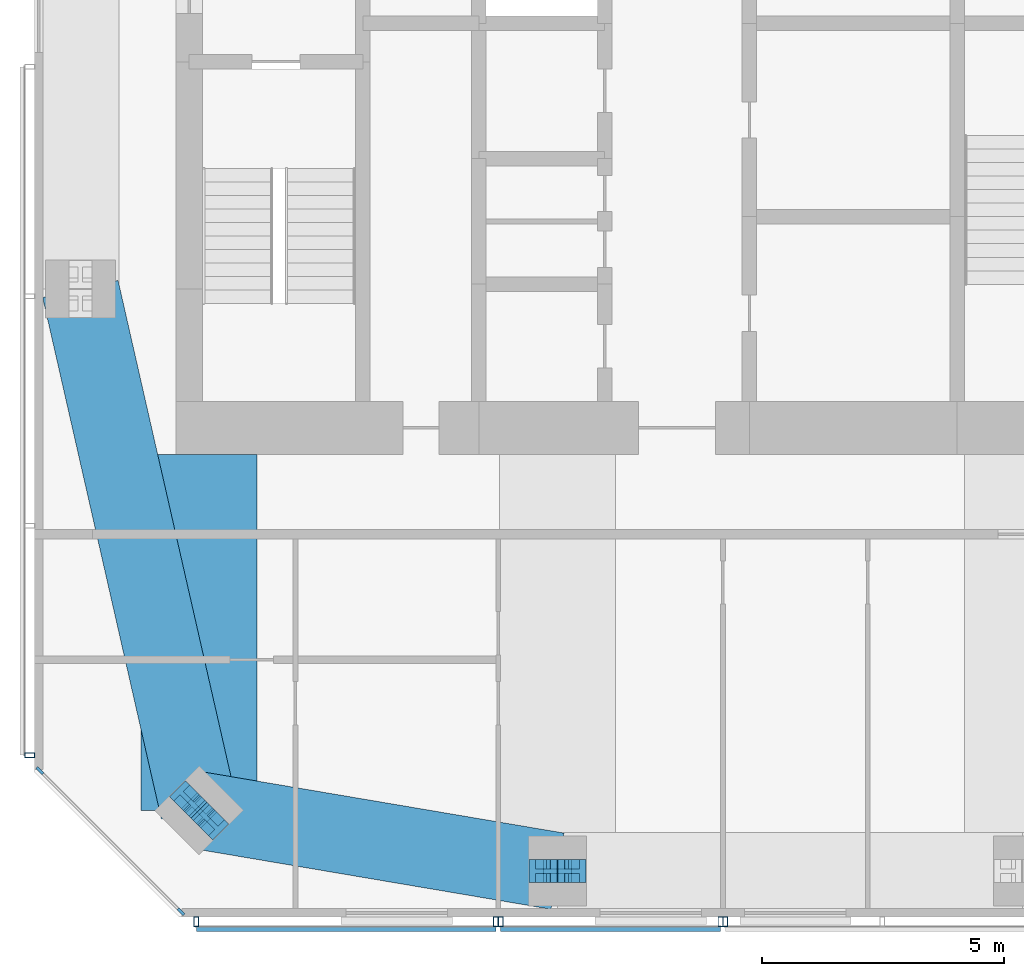
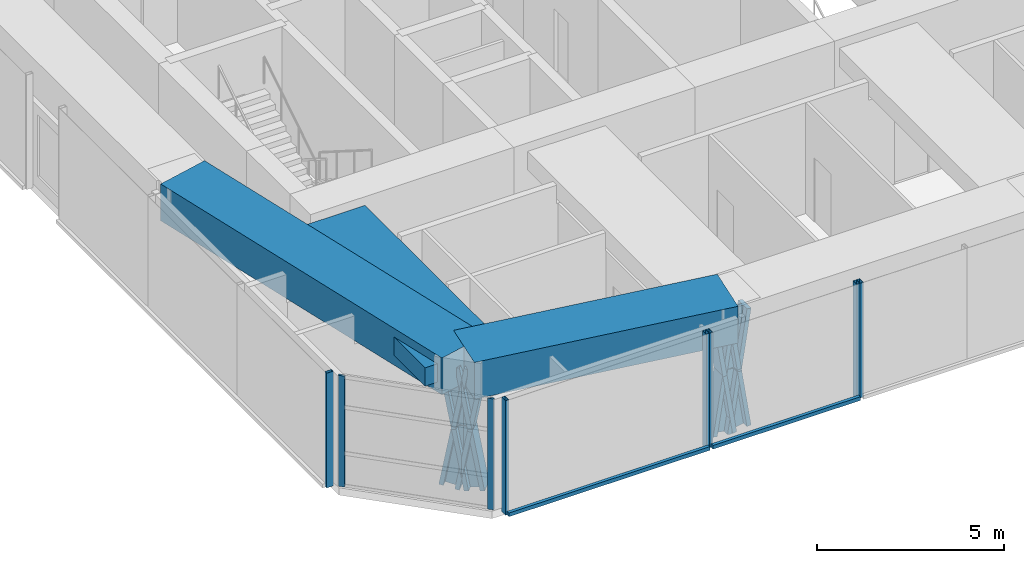
# One storey, part 2 of 20: 18 members, 3 beams, 5 elements without a shape of their own.
"""IFC4 building model written with IfcOpenShell, lengths in metres."""

from ifc_helpers import new_model, si_unit, direction, frame, origin, origin_2d, place, context, subcontext, project, spatial, rectangle, hollow_rectangle, i_section, extrude, material, material_profile, profile_set, type_object, element, aggregate, save


model = new_model("IFC4")

# Units and contexts
model_context = context("Model", 3, precision=1e-05, world=origin(), true_north=direction((0.0, 1.0)))
body_context = subcontext(model_context, "Body", "Model", "MODEL_VIEW")
ifc_project = project(units=[si_unit("LENGTHUNIT", "METRE"), si_unit("AREAUNIT", "SQUARE_METRE"), si_unit("VOLUMEUNIT", "CUBIC_METRE"), si_unit("PLANEANGLEUNIT", "RADIAN"), si_unit("MASSUNIT", "GRAM", prefix="KILO")], contexts=[model_context])

# Site, building, storey
site_placement = place(None, origin())
site = spatial("IfcSite", under=ifc_project, at=site_placement, CompositionType="ELEMENT")
building_placement = place(site_placement, origin())
building = spatial("IfcBuilding", under=site, at=building_placement, Name="Jalousie Tower", CompositionType="ELEMENT")
storey_placement = place(building_placement, frame((0.0, 0.0, 263.85009765625)))
storey = spatial("IfcBuildingStorey", under=building, at=storey_placement, Name="L72", CompositionType="ELEMENT", Elevation=263.85009765625)

# Curtain wall, members
ifc_material_1 = material(Name="Aluminium curtain wall", Category="aluminium")
curtain_wall_type_1 = type_object("IfcCurtainWallType", Name="PENTHOUSE CORNER WINDOW WALL", PredefinedType="USERDEFINED", material=ifc_material_1)
curtain_wall_1_placement = place(storey_placement, origin())
curtain_wall_1 = element("IfcCurtainWall", 1, at=curtain_wall_1_placement, inside=storey, type_object=curtain_wall_type_1, Name="Penthouse Corner Window Wall L72 8", ObjectType="PENTHOUSE CORNER WINDOW WALL", PredefinedType="USERDEFINED")
ifc_material_2 = material(Name="Aluminium mullion", Category="aluminium")
ifc_material_profile_1 = material_profile(ifc_material_2, rectangle(XDim=0.06005859375, YDim=0.179931640625, at=origin_2d()), Name="MULLION 60x180")
ifc_profile_set_1 = profile_set([ifc_material_profile_1], Name="Aluminium mullion")
member_type_1 = type_object("IfcMemberType", Name="PENTHOUSE CORNER WINDOW WALL MULLION", PredefinedType="MULLION", material=ifc_profile_set_1)
member_1_placement = place(storey_placement, frame((16.90869140625, 3.030029296875, 0.0), z_axis=(0.0, 0.0, 1.0), x_axis=(0.707106781187, 0.707106781187, 0.0)))
member_1 = element("IfcMember", 2, at=member_1_placement, type_object=member_type_1, Name="CW-H mullion 1", PredefinedType="MULLION", context=body_context, shape_type="SweptSolid", body=[
    extrude(rectangle(XDim=0.06005859375, YDim=0.179931640625, at=origin_2d()), origin(), (0.0, 0.0, 1.0), 3.619873046875),
])
member_2_placement = place(storey_placement, frame((19.830078125, 0.108642578125, 0.0), z_axis=(0.0, 0.0, 1.0), x_axis=(0.707106781187, 0.707106781187, 0.0)))
member_2 = element("IfcMember", 3, at=member_2_placement, type_object=member_type_1, Name="CW-H mullion 2", PredefinedType="MULLION", context=body_context, shape_type="SweptSolid", body=[
    extrude(rectangle(XDim=0.06005859375, YDim=0.179931640625, at=origin_2d()), origin(), (0.0, 0.0, 1.0), 3.619873046875),
])
aggregate(curtain_wall_1, [member_1, member_2])

# Members
ifc_material_3 = material(Name="Steel ASTM A992 Grade 50", Category="steel")
ifc_material_profile_2 = material_profile(ifc_material_3, i_section(OverallWidth=0.472412109375, OverallDepth=0.5791015625, WebThickness=0.094970703125, FlangeThickness=0.1298828125, at=origin_2d()), Name="W14X808")
ifc_profile_set_2 = profile_set([ifc_material_profile_2], Name="Steel ASTM A992 Grade 50")
member_type_2 = type_object("IfcMemberType", Name="PERIMETER BRACE W14X808", PredefinedType="BRACE", material=ifc_profile_set_2)
for number, where, z_axis, x_axis, name in (
    (4, (19.959716796875, 2.45458984375, -0.60009765625), (0.124836902862, -0.124960137712, 0.984276745467), (0.707455539091, 0.706757851183, 0.0), "Perimeter brace 01 L72 part 1"),
    (5, (20.20703125, 2.20703125, 1.349853515625), (0.124960137712, -0.124836902862, 0.984276745467), (0.706757851183, 0.707455539091, 0.0), "Perimeter brace 01 L72 part 2"),
    (6, (20.45458984375, 1.959716796875, -0.60009765625), (-0.124960137712, 0.124836902862, 0.984276745467), (-0.706757851183, -0.707455539091, 0.0), "Perimeter brace 01 L72 part 3"),
    (7, (20.20703125, 2.20703125, 1.349853515625), (-0.124836902862, 0.124960137712, 0.984276745467), (-0.707455539091, -0.706757851183, 0.0), "Perimeter brace 01 L72 part 4"),
):
    element("IfcMember", number, at=place(storey_placement, frame(where, z_axis=z_axis, x_axis=x_axis)), inside=storey, type_object=member_type_2, Name=name, PredefinedType="BRACE", context=body_context, shape_type="SweptSolid", body=[
        extrude(i_section(OverallWidth=0.472412109375, OverallDepth=0.5791015625, WebThickness=0.094970703125, FlangeThickness=0.1298828125, at=origin_2d()), origin(), (0.0, 0.0, 1.0), 1.981201171875),
    ])
for number, where, z_axis, x_axis, name in (
    (8, (27.324951171875, 0.949951171875, -0.60009765625), (0.152085080919, 0.0, 0.988367405453), (0.0, 1.0, 0.0), "Perimeter brace 02 L72 part 1"),
    (9, (27.625, 0.949951171875, 1.349853515625), (0.152085080919, 0.0, 0.988367405453), (0.0, 1.0, 0.0), "Perimeter brace 02 L72 part 2"),
    (10, (27.925048828125, 0.949951171875, -0.60009765625), (-0.152085080919, 0.0, 0.988367405453), (0.0, -1.0, 0.0), "Perimeter brace 02 L72 part 3"),
    (11, (27.625, 0.949951171875, 1.349853515625), (-0.152085080919, 0.0, 0.988367405453), (0.0, -1.0, 0.0), "Perimeter brace 02 L72 part 4"),
):
    element("IfcMember", number, at=place(storey_placement, frame(where, z_axis=z_axis, x_axis=x_axis)), inside=storey, type_object=member_type_2, Name=name, PredefinedType="BRACE", context=body_context, shape_type="SweptSolid", body=[
        extrude(i_section(OverallWidth=0.472412109375, OverallDepth=0.5791015625, WebThickness=0.094970703125, FlangeThickness=0.1298828125, at=origin_2d()), origin(), (0.0, 0.0, 1.0), 1.972900390625),
    ])

# Beams
ifc_material_4 = material(Name="Concrete f'c 40 MPa", Category="concrete")
ifc_material_profile_3 = material_profile(ifc_material_4, rectangle(XDim=1.60009765625, YDim=1.199951171875, at=origin_2d()), Name="RC 1600x1200")
ifc_profile_set_3 = profile_set([ifc_material_profile_3], Name="Concrete f'c 40 MPa")
beam_type_1 = type_object("IfcBeamType", Name="RC BEAM 1600x1200", PredefinedType="BEAM", material=ifc_profile_set_3)
beam_1_placement = place(storey_placement, frame((20.20703125, 2.20703125, 3.2998046875), z_axis=(0.985942997446, -0.167082033105, 0.0), x_axis=(0.167082033105, 0.985942997446, 0.0)))
element("IfcBeam", 12, at=beam_1_placement, inside=storey, type_object=beam_type_1, Name="Edge band beam 01-02 under L73", PredefinedType="BEAM", context=body_context, shape_type="SweptSolid", body=[
    extrude(rectangle(XDim=1.60009765625, YDim=1.199951171875, at=origin_2d()), origin(), (0.0, 0.0, 1.0), 7.523681640625),
])
beam_2_placement = place(storey_placement, frame((17.75, 13.0, 3.2998046875), z_axis=(0.221971905818, -0.975053061647, 0.0), x_axis=(0.975053061647, 0.221971905818, 0.0)))
element("IfcBeam", 13, at=beam_2_placement, inside=storey, type_object=beam_type_1, Name="Edge band beam 14-01 under L73", PredefinedType="BEAM", context=body_context, shape_type="SweptSolid", body=[
    extrude(rectangle(XDim=1.60009765625, YDim=1.199951171875, at=origin_2d()), origin(), (0.0, 0.0, 1.0), 11.069091796875),
])
ifc_material_5 = material(Name="Concrete f'c 40 MPa", Category="concrete")
ifc_material_profile_4 = material_profile(ifc_material_5, rectangle(XDim=2.39990234375, YDim=0.60009765625, at=origin_2d()), Name="RC 2400x600")
ifc_profile_set_4 = profile_set([ifc_material_profile_4], Name="Concrete f'c 40 MPa")
beam_type_2 = type_object("IfcBeamType", Name="RC BEAM 2400x600", PredefinedType="BEAM", material=ifc_profile_set_4)
beam_3_placement = place(storey_placement, frame((20.20703125, 2.20703125, 3.31982421875), z_axis=(0.0, 1.0, 0.0), x_axis=(-1.0, 0.0, 0.0)))
element("IfcBeam", 14, at=beam_3_placement, inside=storey, type_object=beam_type_2, Name="Floor band beam under L73", PredefinedType="BEAM", context=body_context, shape_type="SweptSolid", body=[
    extrude(rectangle(XDim=2.39990234375, YDim=0.60009765625, at=origin_2d()), origin(), (0.0, 0.0, 1.0), 7.367919921875),
])

# Curtain wall, members
ifc_material_6 = material(Name="Perforated aluminium sheet", Category="aluminium")
curtain_wall_type_2 = type_object("IfcCurtainWallType", Name="SOLAR SCREEN SS-2", PredefinedType="USERDEFINED", material=ifc_material_6)
curtain_wall_2_placement = place(storey_placement, origin())
curtain_wall_2 = element("IfcCurtainWall", 15, at=curtain_wall_2_placement, inside=storey, type_object=curtain_wall_type_2, Name="Solar screen L72", ObjectType="SOLAR SCREEN SS-2", PredefinedType="USERDEFINED")
ifc_material_7 = material(Name="Steel ASTM A500 Grade C", Category="steel")
ifc_material_profile_5 = material_profile(ifc_material_7, hollow_rectangle(XDim=0.1015625, YDim=0.203125, WallThickness=0.0078125, at=origin_2d()), Name="HSS8X4X5/16")
ifc_profile_set_5 = profile_set([ifc_material_profile_5], Name="Steel ASTM A500 Grade C")
member_type_3 = type_object("IfcMemberType", Name="SOLAR SCREEN SS-2 MULLION", PredefinedType="MULLION", material=ifc_profile_set_5)
member_3_placement = place(storey_placement, frame((20.1513671875, -0.0966796875, -0.1201171875), z_axis=(0.0, 0.0, 1.0), x_axis=(1.0, 0.0, 0.0)))
member_3 = element("IfcMember", 16, at=member_3_placement, type_object=member_type_3, Name="SS2 post 1", PredefinedType="MULLION", context=body_context, shape_type="SweptSolid", body=[
    extrude(hollow_rectangle(XDim=0.1015625, YDim=0.203125, WallThickness=0.0078125, at=origin_2d()), origin(), (0.0, 0.0, 1.0), 3.739990234375),
])
member_4_placement = place(storey_placement, frame((26.35009765625, -0.0966796875, -0.1201171875), z_axis=(0.0, 0.0, 1.0), x_axis=(1.0, 0.0, 0.0)))
member_4 = element("IfcMember", 17, at=member_4_placement, type_object=member_type_3, Name="SS2 post 2", PredefinedType="MULLION", context=body_context, shape_type="SweptSolid", body=[
    extrude(hollow_rectangle(XDim=0.1015625, YDim=0.203125, WallThickness=0.0078125, at=origin_2d()), origin(), (0.0, 0.0, 1.0), 3.739990234375),
])

curtain_wall_3_placement = place(storey_placement, origin())
curtain_wall_3 = element("IfcCurtainWall", 18, at=curtain_wall_3_placement, inside=storey, type_object=curtain_wall_type_2, Name="Solar screen L72", ObjectType="SOLAR SCREEN SS-2", PredefinedType="USERDEFINED")
member_5_placement = place(storey_placement, frame((26.449951171875, -0.0966796875, -0.1201171875), z_axis=(0.0, 0.0, 1.0), x_axis=(1.0, 0.0, 0.0)))
member_5 = element("IfcMember", 19, at=member_5_placement, type_object=member_type_3, Name="SS2 post 1", PredefinedType="MULLION", context=body_context, shape_type="SweptSolid", body=[
    extrude(hollow_rectangle(XDim=0.1015625, YDim=0.203125, WallThickness=0.0078125, at=origin_2d()), origin(), (0.0, 0.0, 1.0), 3.739990234375),
])
member_6_placement = place(storey_placement, frame((31.0, -0.0966796875, -0.1201171875), z_axis=(0.0, 0.0, 1.0), x_axis=(1.0, 0.0, 0.0)))
member_6 = element("IfcMember", 20, at=member_6_placement, type_object=member_type_3, Name="SS2 post 2", PredefinedType="MULLION", context=body_context, shape_type="SweptSolid", body=[
    extrude(hollow_rectangle(XDim=0.1015625, YDim=0.203125, WallThickness=0.0078125, at=origin_2d()), origin(), (0.0, 0.0, 1.0), 3.739990234375),
])

# Curtain wall, member
curtain_wall_4_placement = place(storey_placement, origin())
curtain_wall_4 = element("IfcCurtainWall", 21, at=curtain_wall_4_placement, inside=storey, type_object=curtain_wall_type_2, Name="Solar screen L72", ObjectType="SOLAR SCREEN SS-2", PredefinedType="USERDEFINED")
member_7_placement = place(storey_placement, frame((31.10009765625, -0.0966796875, -0.1201171875), z_axis=(0.0, 0.0, 1.0), x_axis=(1.0, 0.0, 0.0)))
member_7 = element("IfcMember", 22, at=member_7_placement, type_object=member_type_3, Name="SS2 post 1", PredefinedType="MULLION", context=body_context, shape_type="SweptSolid", body=[
    extrude(hollow_rectangle(XDim=0.1015625, YDim=0.203125, WallThickness=0.0078125, at=origin_2d()), origin(), (0.0, 0.0, 1.0), 3.739990234375),
])
aggregate(curtain_wall_4, [member_7])

curtain_wall_5_placement = place(storey_placement, origin())
curtain_wall_5 = element("IfcCurtainWall", 23, at=curtain_wall_5_placement, inside=storey, type_object=curtain_wall_type_2, Name="Solar screen L72", ObjectType="SOLAR SCREEN SS-2", PredefinedType="USERDEFINED")
member_8_placement = place(storey_placement, frame((16.703369140625, 3.351318359375, -0.1201171875), z_axis=(0.0, 0.0, 1.0), x_axis=(0.0, -1.0, 0.0)))
member_8 = element("IfcMember", 24, at=member_8_placement, type_object=member_type_3, Name="SS2 post 4", PredefinedType="MULLION", context=body_context, shape_type="SweptSolid", body=[
    extrude(hollow_rectangle(XDim=0.1015625, YDim=0.203125, WallThickness=0.0078125, at=origin_2d()), origin(), (0.0, 0.0, 1.0), 3.739990234375),
])
aggregate(curtain_wall_5, [member_8])

# Member
ifc_material_8 = material(Name="Extruded aluminium screen rail", Category="aluminium")
ifc_material_profile_6 = material_profile(ifc_material_8, rectangle(XDim=0.1015625, YDim=0.1201171875, at=origin_2d()), Name="RAIL 102x120")
ifc_profile_set_6 = profile_set([ifc_material_profile_6], Name="Extruded aluminium screen rail")
member_type_4 = type_object("IfcMemberType", Name="SOLAR SCREEN SS-2 TRANSOM", PredefinedType="USERDEFINED", material=ifc_profile_set_6)
member_9_placement = place(storey_placement, frame((20.1513671875, -0.2490234375, -0.06005859375), z_axis=(1.0, 0.0, 0.0), x_axis=(0.0, 1.0, 0.0)))
member_9 = element("IfcMember", 25, at=member_9_placement, type_object=member_type_4, Name="SS2 rail", ObjectType="TRANSOM", PredefinedType="USERDEFINED", context=body_context, shape_type="SweptSolid", body=[
    extrude(rectangle(XDim=0.1015625, YDim=0.1201171875, at=origin_2d()), origin(), (0.0, 0.0, 1.0), 6.19873046875),
])

aggregate(curtain_wall_2, [member_3, member_4, member_9])

member_10_placement = place(storey_placement, frame((26.449951171875, -0.2490234375, -0.06005859375), z_axis=(1.0, 0.0, 0.0), x_axis=(0.0, 1.0, 0.0)))
member_10 = element("IfcMember", 26, at=member_10_placement, type_object=member_type_4, Name="SS2 rail", ObjectType="TRANSOM", PredefinedType="USERDEFINED", context=body_context, shape_type="SweptSolid", body=[
    extrude(rectangle(XDim=0.1015625, YDim=0.1201171875, at=origin_2d()), origin(), (0.0, 0.0, 1.0), 4.550048828125),
])

aggregate(curtain_wall_3, [member_5, member_6, member_10])

save(model, "model.ifc")
